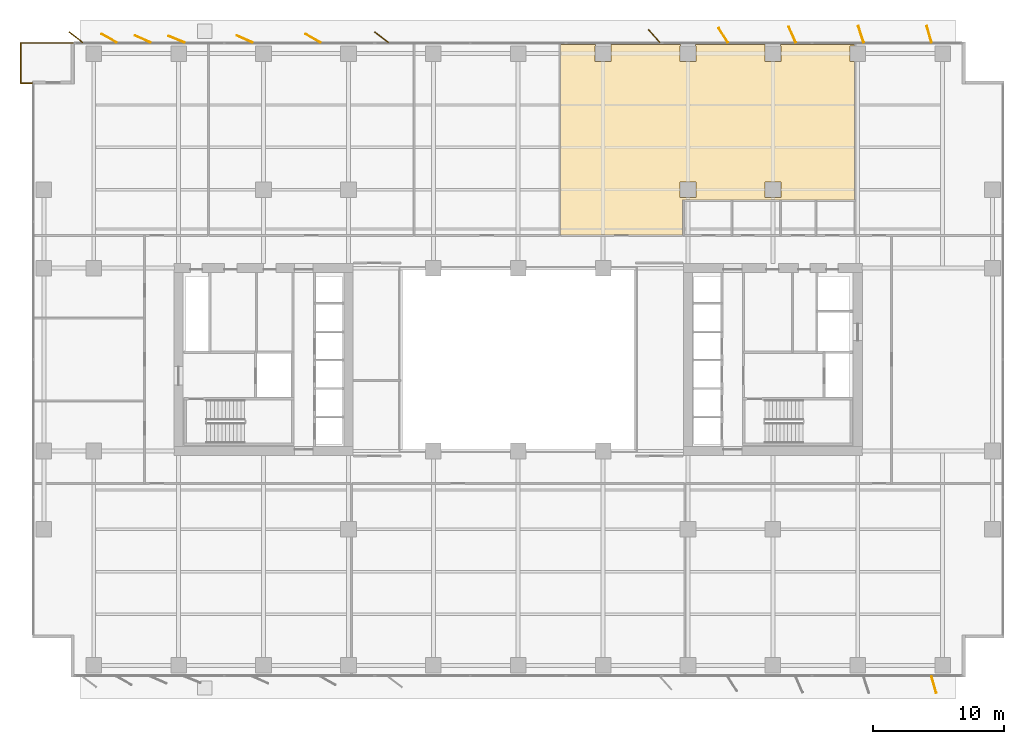
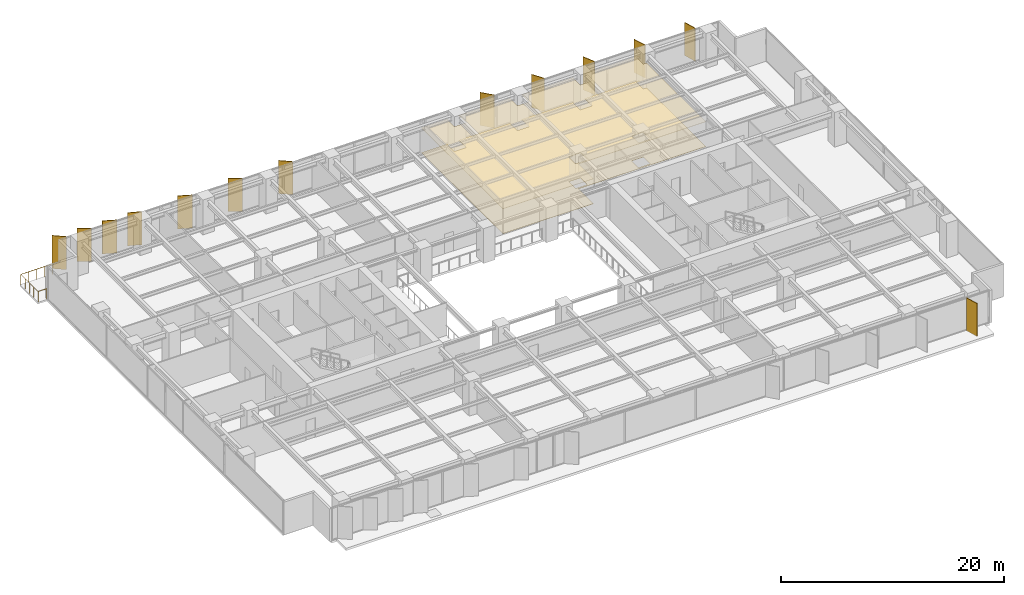
# One storey, part 19 of 19: 13 shading devices, 2 coverings, 1 railing.
"""IFC4 building model written with IfcOpenShell, lengths in metres."""

from ifc_helpers import new_model, si_unit, direction, frame, origin, origin_2d, place, context, subcontext, project, spatial, polyline, rectangle, circle, outline, extrude, material, layer, layer_set, type_object, element, save


model = new_model("IFC4")

# Units and contexts
model_context = context("Model", 3, precision=1e-05, world=origin(), true_north=direction((0.0, 1.0)))
body_context = subcontext(model_context, "Body", "Model", "MODEL_VIEW")
ifc_project = project(units=[si_unit("LENGTHUNIT", "METRE"), si_unit("AREAUNIT", "SQUARE_METRE"), si_unit("VOLUMEUNIT", "CUBIC_METRE"), si_unit("PLANEANGLEUNIT", "RADIAN"), si_unit("MASSUNIT", "GRAM", prefix="KILO")], contexts=[model_context])

# Site, building, storey
site_placement = place(None, origin())
site = spatial("IfcSite", under=ifc_project, at=site_placement, CompositionType="ELEMENT")
building_placement = place(site_placement, origin())
building = spatial("IfcBuilding", under=site, at=building_placement, Name="Putna Gate Headquarters", CompositionType="ELEMENT")
storey_placement = place(building_placement, frame((0.0, 0.0, 86.0)))
storey = spatial("IfcBuildingStorey", under=building, at=storey_placement, Name="L20", CompositionType="ELEMENT", Elevation=86.0)

# Coverings
ifc_material_1 = material(Name="Perforated mineral-fibre acoustic ceiling tile")
ifc_layer_1 = layer(ifc_material_1, 0.0400390625)
ifc_layer_set_1 = layer_set([ifc_layer_1], Name="Perforated mineral-fibre acoustic ceiling tile")
covering_type_1 = type_object("IfcCoveringType", Name="COV-ACOUSTIC-CEILING", PredefinedType="CEILING", material=ifc_layer_set_1)
covering_1_placement = place(storey_placement, frame((0.0, 0.0, 2.7099609375)))
element("IfcCovering", 1, at=covering_1_placement, inside=storey, type_object=covering_type_1, Name="L20 Acoustic Ceiling Covering 1", PredefinedType="CEILING", context=body_context, shape_type="SweptSolid", body=[
    extrude(outline(polyline([(51.412109375, 50.028076171875), (51.412109375, 50.139892578125), (46.087890625, 50.139892578125), (46.087890625, 50.028076171875), (46.10791015625, 50.028076171875), (46.10791015625, 48.81201171875), (44.89208984375, 48.81201171875), (44.89208984375, 50.028076171875), (44.912109375, 50.028076171875), (44.912109375, 50.139892578125), (42.239990234375, 50.139892578125), (42.239990234375, 35.5400390625), (51.60009765625, 35.5400390625), (51.60009765625, 38.219970703125), (64.760009765625, 38.219970703125), (64.760009765625, 48.81201171875), (64.39208984375, 48.81201171875), (64.39208984375, 50.028076171875), (64.760009765625, 50.028076171875), (64.760009765625, 50.139892578125), (59.087890625, 50.139892578125), (59.087890625, 50.028076171875), (59.10791015625, 50.028076171875), (59.10791015625, 48.81201171875), (57.89208984375, 48.81201171875), (57.89208984375, 50.028076171875), (57.912109375, 50.028076171875), (57.912109375, 50.139892578125), (52.587890625, 50.139892578125), (52.587890625, 50.028076171875), (52.60791015625, 50.028076171875), (52.60791015625, 48.81201171875), (51.39208984375, 48.81201171875), (51.39208984375, 50.028076171875), (51.412109375, 50.028076171875)]), holes=[polyline([(59.10791015625, 38.39208984375), (59.10791015625, 39.60791015625), (57.89208984375, 39.60791015625), (57.89208984375, 38.39208984375), (59.10791015625, 38.39208984375)]), polyline([(52.60791015625, 38.39208984375), (52.60791015625, 39.60791015625), (51.39208984375, 39.60791015625), (51.39208984375, 38.39208984375), (52.60791015625, 38.39208984375)])]), origin(), (0.0, 0.0, 1.0), 0.0400390625),
])
ifc_material_2 = material(Name="Calcium-sulphate raised access floor finish")
ifc_layer_2 = layer(ifc_material_2, 0.030029296875)
ifc_layer_set_2 = layer_set([ifc_layer_2], Name="Calcium-sulphate raised access floor finish")
covering_type_2 = type_object("IfcCoveringType", Name="COV-RAISED-FLOORING", PredefinedType="FLOORING", material=ifc_layer_set_2)
covering_2_placement = place(storey_placement, origin())
element("IfcCovering", 2, at=covering_2_placement, inside=storey, type_object=covering_type_2, Name="L20 Raised Access Floor Covering 1", PredefinedType="FLOORING", context=body_context, shape_type="SweptSolid", body=[
    extrude(outline(polyline([(51.412109375, 50.028076171875), (51.412109375, 50.139892578125), (46.087890625, 50.139892578125), (46.087890625, 50.028076171875), (46.10791015625, 50.028076171875), (46.10791015625, 48.81201171875), (44.89208984375, 48.81201171875), (44.89208984375, 50.028076171875), (44.912109375, 50.028076171875), (44.912109375, 50.139892578125), (42.239990234375, 50.139892578125), (42.239990234375, 35.5400390625), (51.60009765625, 35.5400390625), (51.60009765625, 38.219970703125), (64.760009765625, 38.219970703125), (64.760009765625, 48.81201171875), (64.39208984375, 48.81201171875), (64.39208984375, 50.028076171875), (64.760009765625, 50.028076171875), (64.760009765625, 50.139892578125), (59.087890625, 50.139892578125), (59.087890625, 50.028076171875), (59.10791015625, 50.028076171875), (59.10791015625, 48.81201171875), (57.89208984375, 48.81201171875), (57.89208984375, 50.028076171875), (57.912109375, 50.028076171875), (57.912109375, 50.139892578125), (52.587890625, 50.139892578125), (52.587890625, 50.028076171875), (52.60791015625, 50.028076171875), (52.60791015625, 48.81201171875), (51.39208984375, 48.81201171875), (51.39208984375, 50.028076171875), (51.412109375, 50.028076171875)]), holes=[polyline([(59.10791015625, 38.39208984375), (59.10791015625, 39.60791015625), (57.89208984375, 39.60791015625), (57.89208984375, 38.39208984375), (59.10791015625, 38.39208984375)]), polyline([(52.60791015625, 38.39208984375), (52.60791015625, 39.60791015625), (51.39208984375, 39.60791015625), (51.39208984375, 38.39208984375), (52.60791015625, 38.39208984375)])]), origin(), (0.0, 0.0, 1.0), 0.030029296875),
])

# Railing
ifc_material_3 = material(Name="Anodised bronze steel and laminated glass guardrail", Category="steel")
railing_type = type_object("IfcRailingType", Name="RAIL-TERR-GUARD-1150", PredefinedType="GUARDRAIL", material=ifc_material_3)
railing_placement = place(storey_placement, frame((1.800048828125, 47.159912109375, 0.0)))
element("IfcRailing", 3, at=railing_placement, inside=storey, type_object=railing_type, Name="L20 Spiral Sky Terrace Guardrail NW", PredefinedType="GUARDRAIL", context=body_context, shape_type="SweptSolid", body=[
    extrude(circle(Radius=0.02392578125, at=origin_2d()), frame((0.0, 0.0, 1.1259765625), z_axis=(-1.0, 0.0, 0.0), x_axis=(0.0, -1.0, 0.0)), (0.0, 0.0, 1.0), 0.89013671875),
    extrude(circle(Radius=0.02392578125, at=origin_2d()), frame((-0.89013671875, 0.0, 1.1259765625), z_axis=(0.0, 1.0, 0.0), x_axis=(-1.0, 0.0, 0.0)), (0.0, 0.0, 1.0), 3.080078125),
    extrude(circle(Radius=0.02392578125, at=origin_2d()), frame((-0.89013671875, 3.080078125, 1.1259765625), z_axis=(1.0, 0.0, 0.0), x_axis=(0.0, 1.0, 0.0)), (0.0, 0.0, 1.0), 4.090087890625),
    extrude(circle(Radius=0.02099609375, at=origin_2d()), origin(), (0.0, 0.0, 1.0), 1.101806640625),
    extrude(circle(Radius=0.02099609375, at=origin_2d()), frame((-0.89013671875, 0.0, 0.0)), (0.0, 0.0, 1.0), 1.101806640625),
    extrude(circle(Radius=0.02099609375, at=origin_2d()), frame((-0.89013671875, 0.77001953125, 0.0)), (0.0, 0.0, 1.0), 1.101806640625),
    extrude(circle(Radius=0.02099609375, at=origin_2d()), frame((-0.89013671875, 1.5400390625, 0.0)), (0.0, 0.0, 1.0), 1.101806640625),
    extrude(circle(Radius=0.02099609375, at=origin_2d()), frame((-0.89013671875, 2.31005859375, 0.0)), (0.0, 0.0, 1.0), 1.101806640625),
    extrude(circle(Radius=0.02099609375, at=origin_2d()), frame((-0.89013671875, 3.080078125, 0.0)), (0.0, 0.0, 1.0), 1.101806640625),
    extrude(circle(Radius=0.02099609375, at=origin_2d()), frame((-0.072021484375, 3.080078125, 0.0)), (0.0, 0.0, 1.0), 1.101806640625),
    extrude(circle(Radius=0.02099609375, at=origin_2d()), frame((0.745849609375, 3.080078125, 0.0)), (0.0, 0.0, 1.0), 1.101806640625),
    extrude(circle(Radius=0.02099609375, at=origin_2d()), frame((1.56396484375, 3.080078125, 0.0)), (0.0, 0.0, 1.0), 1.101806640625),
    extrude(circle(Radius=0.02099609375, at=origin_2d()), frame((2.3818359375, 3.080078125, 0.0)), (0.0, 0.0, 1.0), 1.101806640625),
    extrude(circle(Radius=0.02099609375, at=origin_2d()), frame((3.199951171875, 3.080078125, 0.0)), (0.0, 0.0, 1.0), 1.101806640625),
])

# Shading devices
ifc_material_4 = material(Name="Anodised architectural bronze aluminium fin", Category="aluminium")
ifc_layer_3 = layer(ifc_material_4, 0.06494140625)
ifc_layer_set_3 = layer_set([ifc_layer_3], Name="Anodised architectural bronze aluminium fin")
shading_device_type = type_object("IfcShadingDeviceType", Name="SHADE-BRONZE-FIN-1320", PredefinedType="USERDEFINED", material=ifc_layer_set_3)
for number, where, z_axis, x_axis, name in (
    (4, (5.13037109375, 50.681884765625, -0.02001953125), (0.0, 0.0, 1.0), (-0.787473187632, 0.616348909921, 0.0), "L20 Bronze Vertical Shading Fin N1"),
    (5, (7.67626953125, 50.601318359375, -0.02001953125), (0.0, 0.0, 1.0), (-0.869322458298, 0.494245347472, 0.0), "L20 Bronze Vertical Shading Fin N2"),
    (6, (10.2470703125, 50.543212890625, -0.02001953125), (0.0, 0.0, 1.0), (-0.913687379856, 0.40641773078, 0.0), "L20 Bronze Vertical Shading Fin N3"),
    (7, (12.838134765625, 50.522216796875, -0.02001953125), (0.0, 0.0, 1.0), (-0.927183854567, 0.374606593416, 0.0), "L20 Bronze Vertical Shading Fin N4"),
    (8, (18.047119140625, 50.543212890625, -0.02001953125), (0.0, 0.0, 1.0), (-0.913687379856, 0.40641773078, 0.0), "L20 Bronze Vertical Shading Fin N5"),
    (9, (23.276123046875, 50.601318359375, -0.02001953125), (0.0, 0.0, 1.0), (-0.869322458298, 0.494245347472, 0.0), "L20 Bronze Vertical Shading Fin N6"),
    (10, (28.5302734375, 50.681884765625, -0.02001953125), (0.0, 0.0, 1.0), (-0.787473187632, 0.616348909921, 0.0), "L20 Bronze Vertical Shading Fin N7"),
    (11, (49.408447265625, 50.765380859375, -0.02001953125), (0.0, 0.0, 1.0), (-0.669130606359, 0.743144825477, 0.0), "L20 Bronze Vertical Shading Fin N8"),
    (12, (54.69970703125, 50.83447265625, -0.02001953125), (0.0, 0.0, 1.0), (-0.530659123936, 0.847585331506, 0.0), "L20 Bronze Vertical Shading Fin N9"),
    (13, (59.985595703125, 50.879638671875, -0.02001953125), (0.0, 0.0, 1.0), (-0.400668879095, 0.916222925562, 0.0), "L20 Bronze Vertical Shading Fin N10"),
    (14, (65.246337890625, 50.90283203125, -0.02001953125), (0.0, 0.0, 1.0), (-0.308684994204, 0.951164325631, 0.0), "L20 Bronze Vertical Shading Fin N11"),
    (15, (70.831787109375, 1.090576171875, -0.02001953125), (0.0, 0.0, 1.0), (0.275637355817, -0.961261695938, 0.0), "L20 Bronze Vertical Shading Fin S12"),
    (16, (70.468017578125, 50.909423828125, -0.02001953125), (0.0, 0.0, 1.0), (-0.275637355817, 0.961261695938, 0.0), "L20 Bronze Vertical Shading Fin N12"),
):
    element("IfcShadingDevice", number, at=place(storey_placement, frame(where, z_axis=z_axis, x_axis=x_axis)), inside=storey, type_object=shading_device_type, Name=name, ObjectType="FIN", PredefinedType="USERDEFINED", context=body_context, shape_type="SweptSolid", body=[
        extrude(rectangle(XDim=1.320068359375, YDim=0.06494140625, at=origin_2d()), origin(), (0.0, 0.0, 1.0), 3.60498046875),
    ])

save(model, "model.ifc")
